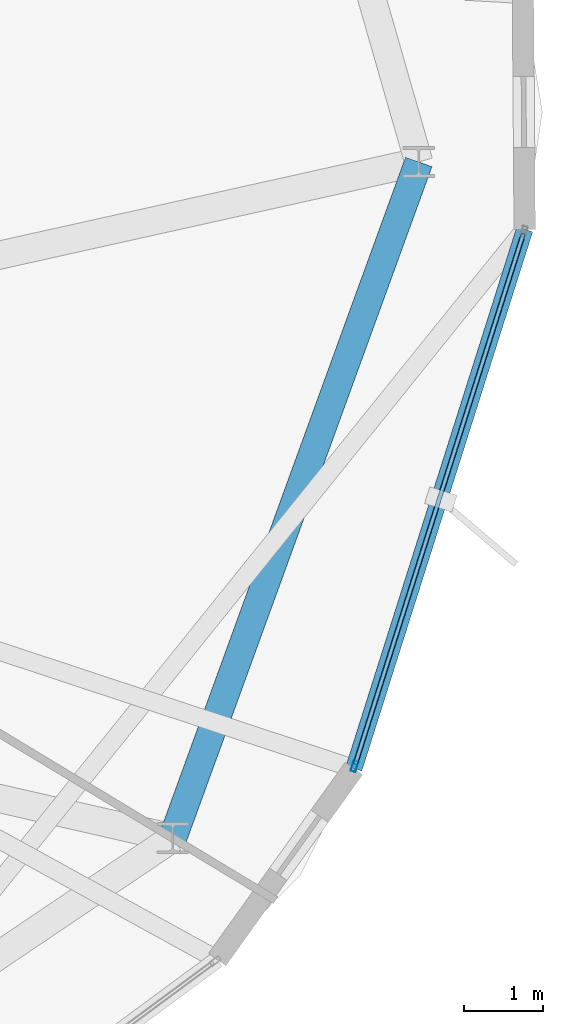
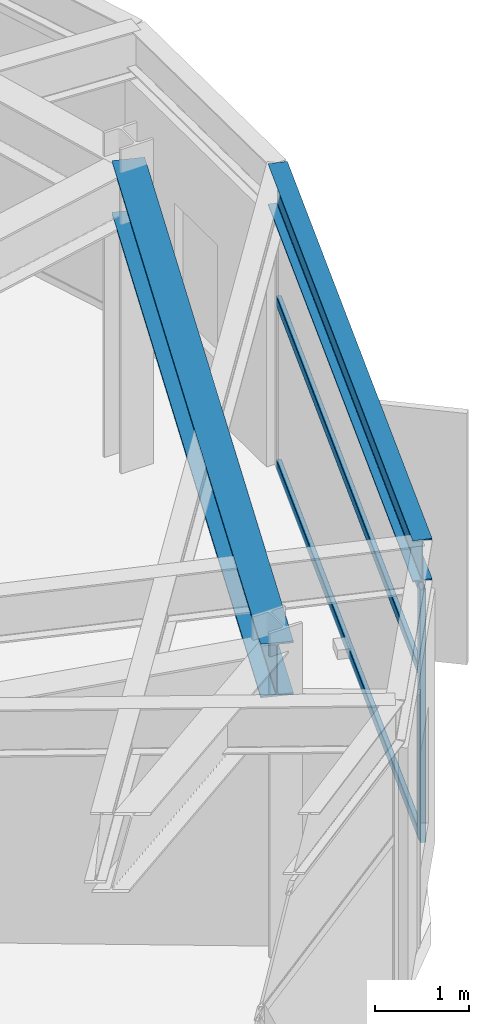
# One storey, part 8 of 22: 4 members, 2 beams, 1 element without a shape of its own.
"""IFC4 building model written with IfcOpenShell, lengths in metres."""

from ifc_helpers import new_model, si_unit, direction, frame, origin, origin_2d, place, context, subcontext, project, spatial, hollow_rectangle, i_section, extrude, material, layer, layer_set, material_profile, profile_set, type_object, element, aggregate, save


model = new_model("IFC4")

# Units and contexts
model_context = context("Model", 3, precision=1e-05, world=origin(), true_north=direction((0.0, 1.0)))
body_context = subcontext(model_context, "Body", "Model", "MODEL_VIEW")
ifc_project = project(units=[si_unit("LENGTHUNIT", "METRE"), si_unit("AREAUNIT", "SQUARE_METRE"), si_unit("VOLUMEUNIT", "CUBIC_METRE"), si_unit("PLANEANGLEUNIT", "RADIAN"), si_unit("MASSUNIT", "GRAM", prefix="KILO")], contexts=[model_context])

# Site, building, storey
site_placement = place(None, origin())
site = spatial("IfcSite", under=ifc_project, at=site_placement, CompositionType="ELEMENT")
building_placement = place(site_placement, origin())
building = spatial("IfcBuilding", under=site, at=building_placement, Name="Soratama Intermodal Tower", CompositionType="ELEMENT")
storey_placement = place(building_placement, frame((0.0, 0.0, 301.449951171875)))
storey = spatial("IfcBuildingStorey", under=building, at=storey_placement, Name="L76", CompositionType="ELEMENT", Elevation=301.449951171875)

# Beams
ifc_material_1 = material(Name="Structural steel ASTM A992 Grade 50", Category="steel")
ifc_material_profile_1 = material_profile(ifc_material_1, i_section(OverallWidth=0.35498046875, OverallDepth=0.695068359375, WebThickness=0.015380859375, FlangeThickness=0.02490234375, FilletRadius=0.01611328125, at=origin_2d()), Name="W27X146")
ifc_profile_set_1 = profile_set([ifc_material_profile_1], Name="Structural steel ASTM A992 Grade 50")
beam_type_1 = type_object("IfcBeamType", Name="BM-RING-W27X146", PredefinedType="BEAM", material=ifc_profile_set_1)
beam_1_placement = place(storey_placement, frame((53.583984375, 15.949951171875, 3.547607421875), z_axis=(0.341989029925, 0.939703944555, 0.0), x_axis=(-0.939703944555, 0.341989029925, 0.0)))
element("IfcBeam", 1, at=beam_1_placement, inside=storey, type_object=beam_type_1, Name="BM-L76-RING-09", PredefinedType="BEAM", context=body_context, shape_type="SweptSolid", body=[
    extrude(i_section(OverallWidth=0.35498046875, OverallDepth=0.695068359375, WebThickness=0.015380859375, FlangeThickness=0.02490234375, FilletRadius=0.01611328125, at=origin_2d()), origin(), (0.0, 0.0, 1.0), 9.0849609375),
])
ifc_material_2 = material(Name="Structural steel ASTM A992 Grade 50", Category="steel")
ifc_material_profile_2 = material_profile(ifc_material_2, i_section(OverallWidth=0.2099609375, OverallDepth=0.537109375, WebThickness=0.010986328125, FlangeThickness=0.017333984375, FilletRadius=0.012939453125, at=origin_2d()), Name="W21X68")
ifc_profile_set_2 = profile_set([ifc_material_profile_2], Name="Structural steel ASTM A992 Grade 50")
beam_type_2 = type_object("IfcBeamType", Name="BM-SPN-W21X68", PredefinedType="SPANDREL", material=ifc_profile_set_2)
beam_2_placement = place(storey_placement, frame((55.8720703125, 16.827880859375, 3.62646484375), z_axis=(0.30206882122, 0.953286120347, 0.0), x_axis=(-0.953286120347, 0.30206882122, 0.0)))
element("IfcBeam", 2, at=beam_2_placement, inside=storey, type_object=beam_type_2, Name="BS-L76-F08", PredefinedType="SPANDREL", context=body_context, shape_type="SweptSolid", body=[
    extrude(i_section(OverallWidth=0.2099609375, OverallDepth=0.537109375, WebThickness=0.010986328125, FlangeThickness=0.017333984375, FilletRadius=0.012939453125, at=origin_2d()), origin(), (0.0, 0.0, 1.0), 7.140625),
])

# Curtain wall, members
ifc_material_3 = material(Name="Double-glazed aluminium curtain wall", Category="aluminium")
ifc_layer = layer(ifc_material_3, 0.159912109375)
ifc_layer_set = layer_set([ifc_layer], Name="Double-glazed aluminium curtain wall")
curtain_wall_type = type_object("IfcCurtainWallType", Name="CW-SYS-6", PredefinedType="NOTDEFINED", material=ifc_layer_set)
curtain_wall_placement = place(storey_placement, origin())
curtain_wall = element("IfcCurtainWall", 3, at=curtain_wall_placement, inside=storey, type_object=curtain_wall_type, Name="L76 Faceted Curtain Wall F08", PredefinedType="NOTDEFINED")
ifc_material_4 = material(Name="Anodised aluminium AA 6063-T6", Category="aluminium")
ifc_material_profile_3 = material_profile(ifc_material_4, hollow_rectangle(XDim=0.06494140625, YDim=0.139892578125, WallThickness=0.0048828125, InnerFilletRadius=0.0048828125, OuterFilletRadius=0.010009765625, at=origin_2d()), Name="CWM140X65X5")
ifc_profile_set_3 = profile_set([ifc_material_profile_3], Name="Anodised aluminium AA 6063-T6")
member_type_1 = type_object("IfcMemberType", Name="MT-CWM-6", PredefinedType="MULLION", material=ifc_profile_set_3)
member_1_placement = place(storey_placement, frame((55.880859375, 16.856689453125, 0.0), z_axis=(0.0, 0.0, 1.0), x_axis=(-0.953296061555, 0.302037446393, 0.0)))
member_1 = element("IfcMember", 4, at=member_1_placement, type_object=member_type_1, Name="CW-6 mullion 1", PredefinedType="MULLION", context=body_context, shape_type="SweptSolid", body=[
    extrude(hollow_rectangle(XDim=0.06494140625, YDim=0.139892578125, WallThickness=0.0048828125, InnerFilletRadius=0.0048828125, OuterFilletRadius=0.010009765625, at=origin_2d()), origin(), (0.0, 0.0, 1.0), 3.274169921875),
])
ifc_material_5 = material(Name="Anodised aluminium AA 6063-T6", Category="aluminium")
ifc_material_profile_4 = material_profile(ifc_material_5, hollow_rectangle(XDim=0.06005859375, YDim=0.1298828125, WallThickness=0.0048828125, InnerFilletRadius=0.0048828125, OuterFilletRadius=0.010009765625, at=origin_2d()), Name="CWT130X60X5")
ifc_profile_set_4 = profile_set([ifc_material_profile_4], Name="Anodised aluminium AA 6063-T6")
member_type_2 = type_object("IfcMemberType", Name="TT-CWT-2", PredefinedType="USERDEFINED", material=ifc_profile_set_4)
member_2_placement = place(storey_placement, frame((55.89013671875, 16.885498046875, 0.030029296875), z_axis=(0.302045000463, 0.953293668129, 0.0), x_axis=(-0.953293668129, 0.302045000463, 0.0)))
member_2 = element("IfcMember", 5, at=member_2_placement, type_object=member_type_2, Name="CW-6 transom 1.1", ObjectType="TRANSOM", PredefinedType="USERDEFINED", context=body_context, shape_type="SweptSolid", body=[
    extrude(hollow_rectangle(XDim=0.06005859375, YDim=0.1298828125, WallThickness=0.0048828125, InnerFilletRadius=0.0048828125, OuterFilletRadius=0.010009765625, at=origin_2d()), origin(), (0.0, 0.0, 1.0), 7.02001953125),
])
member_3_placement = place(storey_placement, frame((55.89013671875, 16.885498046875, 2.150146484375), z_axis=(0.302045000463, 0.953293668129, 0.0), x_axis=(-0.953293668129, 0.302045000463, 0.0)))
member_3 = element("IfcMember", 6, at=member_3_placement, type_object=member_type_2, Name="CW-6 transom 1.2", ObjectType="TRANSOM", PredefinedType="USERDEFINED", context=body_context, shape_type="SweptSolid", body=[
    extrude(hollow_rectangle(XDim=0.06005859375, YDim=0.1298828125, WallThickness=0.0048828125, InnerFilletRadius=0.0048828125, OuterFilletRadius=0.010009765625, at=origin_2d()), origin(), (0.0, 0.0, 1.0), 7.02001953125),
])
member_4_placement = place(storey_placement, frame((55.89013671875, 16.885498046875, 3.244140625), z_axis=(0.302045000463, 0.953293668129, 0.0), x_axis=(-0.953293668129, 0.302045000463, 0.0)))
member_4 = element("IfcMember", 7, at=member_4_placement, type_object=member_type_2, Name="CW-6 transom 1.3", ObjectType="TRANSOM", PredefinedType="USERDEFINED", context=body_context, shape_type="SweptSolid", body=[
    extrude(hollow_rectangle(XDim=0.06005859375, YDim=0.1298828125, WallThickness=0.0048828125, InnerFilletRadius=0.0048828125, OuterFilletRadius=0.010009765625, at=origin_2d()), origin(), (0.0, 0.0, 1.0), 7.02001953125),
])
aggregate(curtain_wall, [member_1, member_2, member_3, member_4])

save(model, "model.ifc")
